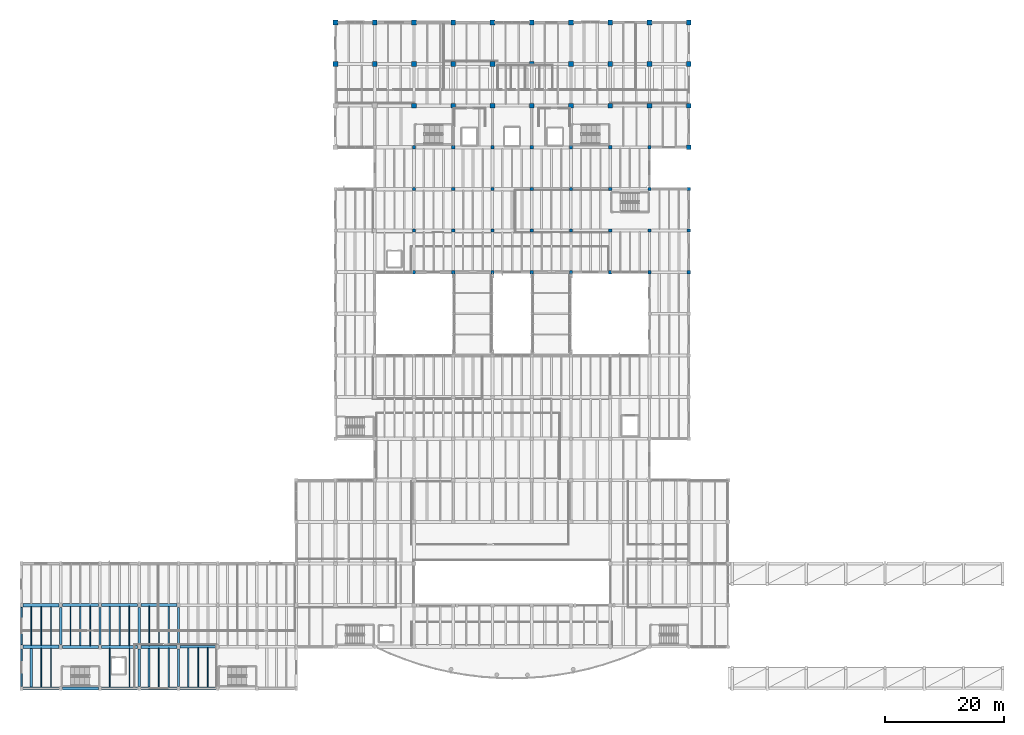
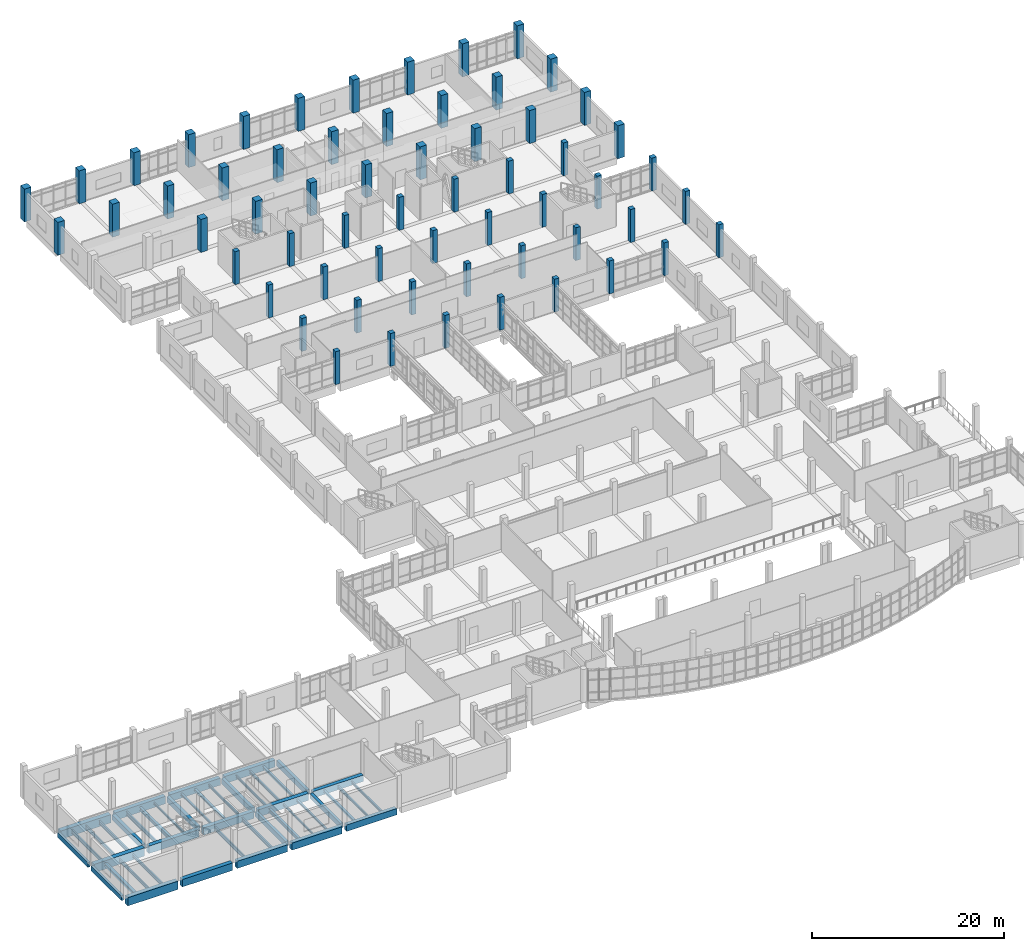
# One storey, part 2 of 67: 60 columns, 45 beams.
"""IFC4 building model written with IfcOpenShell, lengths in metres."""

import ifcopenshell
import ifcopenshell.guid

model = None  # the IFC model being written
_history = None  # IfcOwnerHistory: only IFC2X3 demands one
_inside = {}  # id of a spatial element -> (the spatial element, [elements in it])
_under = {}  # id of a project, library or spatial element -> (it, [spatial elements below it])
_declared = {}  # id of a project -> (the project, [libraries it declares])
_typed = {}  # id of a type object -> (the type object, [elements of that type])
_made_of = {}  # id of a material, layer set ... -> (it, [elements and type objects made of it])


def new_model(schema):
    """Start an empty IFC model of exactly this schema.

    Asked for "IFC4X3", IfcOpenShell would pick the latest addendum, in which some entities
    have other attributes; the version numbers below select the first issue.
    IFC2X3 requires an IfcOwnerHistory on every rooted entity: one is made here for all.
    """
    global model, _history
    if schema == "IFC4X3":
        model = ifcopenshell.file(schema_version=(4, 3, 0, 0))
    else:
        model = ifcopenshell.file(schema=schema)
    _inside.clear()
    _under.clear()
    _declared.clear()
    _typed.clear()
    _made_of.clear()
    _history = None
    if model.schema == "IFC2X3":
        org = make("IfcOrganization", Name="unknown")
        user = make(
            "IfcPersonAndOrganization",
            ThePerson=make("IfcPerson", FamilyName="unknown"),
            TheOrganization=org,
        )
        app = make(
            "IfcApplication",
            ApplicationDeveloper=org,
            Version="unknown",
            ApplicationFullName="unknown",
            ApplicationIdentifier="unknown",
        )
        _history = make(
            "IfcOwnerHistory",
            OwningUser=user,
            OwningApplication=app,
            ChangeAction="ADDED",
            CreationDate=0,
        )
    return model


def make(cls, **values):
    """One entity of the class cls with the attributes given. An attribute that is None is left unset."""
    return model.create_entity(
        cls, **{name: value for name, value in values.items() if value is not None}
    )


def rooted(cls, **values):
    """An entity with a GlobalId (a new one), such as an element, a storey or a relation."""
    return make(cls, GlobalId=ifcopenshell.guid.new(), OwnerHistory=_history, **values)


def si_unit(unit_type, name, prefix=None):
    """IfcSIUnit, for example si_unit("LENGTHUNIT", "METRE", prefix="MILLI")."""
    return make("IfcSIUnit", UnitType=unit_type, Prefix=prefix, Name=name)


def assignment(units):
    """IfcUnitAssignment: the units of a project."""
    return None if units is None else make("IfcUnitAssignment", Units=units)


def point(xyz):
    """IfcCartesianPoint."""
    return None if xyz is None else make("IfcCartesianPoint", Coordinates=xyz)


def direction(xyz):
    """IfcDirection."""
    return None if xyz is None else make("IfcDirection", DirectionRatios=xyz)


def frame(location, z_axis=None, x_axis=None):
    """IfcAxis2Placement3D, a coordinate frame: its origin and axes. An axis left out is left unset."""
    return make(
        "IfcAxis2Placement3D",
        Location=point(location),
        Axis=direction(z_axis),
        RefDirection=direction(x_axis),
    )


def frame_2d(location, x_axis=None):
    """IfcAxis2Placement2D, a coordinate frame in the plane: its origin and x axis."""
    return make(
        "IfcAxis2Placement2D", Location=point(location), RefDirection=direction(x_axis)
    )


def origin():
    """The frame at (0, 0, 0) with its axes left unset."""
    return frame((0.0, 0.0, 0.0))


def origin_2d():
    """The frame at (0, 0) in the plane with its x axis left unset."""
    return frame_2d((0.0, 0.0))


def place(relative_to, where):
    """IfcLocalPlacement: puts the frame where relative to a parent placement (None: the world)."""
    return make(
        "IfcLocalPlacement", PlacementRelTo=relative_to, RelativePlacement=where
    )


def context(
    kind, dimensions, precision=None, world=None, true_north=None, identifier=None
):
    """IfcGeometricRepresentationContext, for example the 3D "Model" context."""
    return make(
        "IfcGeometricRepresentationContext",
        ContextIdentifier=identifier,
        ContextType=kind,
        CoordinateSpaceDimension=dimensions,
        Precision=precision,
        WorldCoordinateSystem=world,
        TrueNorth=true_north,
    )


def subcontext(parent, identifier, kind, view, scale=None):
    """IfcGeometricRepresentationSubContext, for example "Body" below "Model"."""
    return make(
        "IfcGeometricRepresentationSubContext",
        ContextIdentifier=identifier,
        ContextType=kind,
        ParentContext=parent,
        TargetScale=scale,
        TargetView=view,
    )


def project(units=None, contexts=None):
    """IfcProject with its units and contexts."""
    return rooted(
        "IfcProject",
        Name="project",
        RepresentationContexts=contexts,
        UnitsInContext=assignment(units),
    )


def spatial(cls, under=None, at=None, **own):
    """A site, building, storey or space (cls), placed at a placement, below another one or the project."""
    s = rooted(cls, ObjectPlacement=at, **own)
    if under is not None:
        _under.setdefault(under.id(), (under, []))[1].append(s)
    return s


def profile(cls, at=None, kind="AREA", **sizes):
    """A parametric profile (cls). Its sizes go by their IFC names, for example OverallWidth=200.0."""
    return make(cls, ProfileType=kind, Position=at, **sizes)


def rectangle(**sizes):
    """IfcRectangleProfileDef."""
    return profile("IfcRectangleProfileDef", **sizes)


def i_section(**sizes):
    """IfcIShapeProfileDef."""
    return profile("IfcIShapeProfileDef", **sizes)


def extrude(swept, where, along, depth):
    """IfcExtrudedAreaSolid: the profile swept, set in the frame where, extruded along a direction by depth."""
    return make(
        "IfcExtrudedAreaSolid",
        SweptArea=swept,
        Position=where,
        ExtrudedDirection=direction(along),
        Depth=depth,
    )


def shape(context_of_items, identifier, shape_type, items):
    """IfcShapeRepresentation: the items that make up one representation, for example the "Body"."""
    return make(
        "IfcShapeRepresentation",
        ContextOfItems=context_of_items,
        RepresentationIdentifier=identifier,
        RepresentationType=shape_type,
        Items=items,
    )


def material(Name=None, Category=None):
    """IfcMaterial."""
    return make("IfcMaterial", Name=Name, Category=Category)


def material_profile(
    of_material, cross_section, Name=None, Category=None, Priority=None
):
    """IfcMaterialProfile: a cross section and its material."""
    return make(
        "IfcMaterialProfile",
        Name=Name,
        Material=of_material,
        Profile=cross_section,
        Priority=Priority,
        Category=Category,
    )


def profile_set(profiles, Name=None, composite=None):
    """IfcMaterialProfileSet."""
    return make(
        "IfcMaterialProfileSet",
        Name=Name,
        MaterialProfiles=profiles,
        CompositeProfile=composite,
    )


def made_of(thing, what):
    """Note that an element or type object is made of a material, layer set ...; save() writes the relation."""
    if what is not None:
        _made_of.setdefault(what.id(), (what, []))[1].append(thing)
    return thing


def type_object(cls, material=None, **own):
    """A type object (cls), such as IfcWallType, which elements share."""
    return made_of(rooted(cls, **own), material)


def element(
    cls,
    number,
    at=None,
    inside=None,
    cuts=None,
    type_object=None,
    material=None,
    context=None,
    identifier="Body",
    shape_type=None,
    held_by="IfcProductDefinitionShape",
    body=None,
    shapes=None,
    **own,
):
    """One element of the class cls, such as IfcWall. Its Tag is "e" and its number.

    at: its placement. inside: the storey or other place that contains it. cuts: it is an
    opening in that element (IfcRelVoidsElement). A single representation is given by context,
    identifier, shape_type and body (its items); several are given by shapes. held_by: the class
    of the entity that holds the representations. save() writes the other relations.
    """
    e = rooted(cls, Tag="e%d" % number, ObjectPlacement=at, **own)
    if body is not None:
        shapes = [shape(context, identifier, shape_type, body)]
    if shapes is not None:
        e.Representation = make(held_by, Representations=shapes)
    if inside is not None:
        _inside.setdefault(inside.id(), (inside, []))[1].append(e)
    if cuts is not None:
        rooted(
            "IfcRelVoidsElement", RelatingBuildingElement=cuts, RelatedOpeningElement=e
        )
    if type_object is not None:
        _typed.setdefault(type_object.id(), (type_object, []))[1].append(e)
    return made_of(e, material)


def aggregate(whole, parts):
    """IfcRelAggregates: a whole, such as a stair, and the parts it consists of."""
    return rooted("IfcRelAggregates", RelatingObject=whole, RelatedObjects=parts)


def save(model, path):
    """Write the relations noted so far, then the file.

    IfcRelAggregates (storeys below a building ...), IfcRelContainedInSpatialStructure (elements
    in a storey), IfcRelDefinesByType, IfcRelAssociatesMaterial and IfcRelDeclares: one each for
    every whole, place, type object, material and project.
    """
    for whole, parts in _under.values():
        aggregate(whole, parts)
    for where, things in _inside.values():
        rooted(
            "IfcRelContainedInSpatialStructure",
            RelatedElements=things,
            RelatingStructure=where,
        )
    for kind, things in _typed.values():
        rooted("IfcRelDefinesByType", RelatedObjects=things, RelatingType=kind)
    for what, things in _made_of.values():
        rooted("IfcRelAssociatesMaterial", RelatedObjects=things, RelatingMaterial=what)
    for by, libraries in _declared.values():
        rooted("IfcRelDeclares", RelatingContext=by, RelatedDefinitions=libraries)
    model.write(path)


model = new_model("IFC4")

# Units and contexts
model_context = context("Model", 3, precision=1e-05, world=origin(), true_north=direction((0.0, 1.0)))
body_context = subcontext(model_context, "Body", "Model", "MODEL_VIEW")
ifc_project = project(units=[si_unit("LENGTHUNIT", "METRE"), si_unit("AREAUNIT", "SQUARE_METRE"), si_unit("VOLUMEUNIT", "CUBIC_METRE"), si_unit("PLANEANGLEUNIT", "RADIAN"), si_unit("MASSUNIT", "GRAM", prefix="KILO")], contexts=[model_context])

# Site, building, storey
site_placement = place(None, origin())
site = spatial("IfcSite", under=ifc_project, at=site_placement, CompositionType="ELEMENT")
building_placement = place(site_placement, origin())
building = spatial("IfcBuilding", under=site, at=building_placement, Name="Ciguamira Faculty of Natural Sciences", CompositionType="ELEMENT")
storey_placement = place(building_placement, frame((0.0, 0.0, 8.39990234375)))
storey = spatial("IfcBuildingStorey", under=building, at=storey_placement, Name="L02", CompositionType="ELEMENT", Elevation=8.39990234375)

# Columns
ifc_material_1 = material(Name="Concrete C45/55", Category="concrete")
ifc_material_profile_1 = material_profile(ifc_material_1, rectangle(XDim=0.800048828125, YDim=0.800048828125, at=origin_2d()), Name="RC-COL-800X800")
ifc_profile_set_1 = profile_set([ifc_material_profile_1], Name="Concrete C45/55")
column_type_1 = type_object("IfcColumnType", Name="Col_C-03_RC-COL-800X800", PredefinedType="COLUMN", material=ifc_profile_set_1)
for number, where, z_axis, x_axis, name in (
    (1, (57.300048828125, 108.0, 0.0), (0.0, 0.0, 1.0), (1.0, 0.0, 0.0), "L02 column 9/R"),
    (2, (57.300048828125, 115.0, 0.0), (0.0, 0.0, 1.0), (1.0, 0.0, 0.0), "L02 column 9/S"),
    (3, (63.89990234375, 108.0, 0.0), (0.0, 0.0, 1.0), (1.0, 0.0, 0.0), "L02 column 10/R"),
    (4, (63.89990234375, 115.0, 0.0), (0.0, 0.0, 1.0), (1.0, 0.0, 0.0), "L02 column 10/S"),
    (5, (70.5, 101.0, 0.0), (0.0, 0.0, 1.0), (1.0, 0.0, 0.0), "L02 column 11/Q"),
    (6, (70.5, 108.0, 0.0), (0.0, 0.0, 1.0), (1.0, 0.0, 0.0), "L02 column 11/R"),
    (7, (70.5, 115.0, 0.0), (0.0, 0.0, 1.0), (1.0, 0.0, 0.0), "L02 column 11/S"),
    (8, (77.10009765625, 101.0, 0.0), (0.0, 0.0, 1.0), (1.0, 0.0, 0.0), "L02 column 12/Q"),
    (9, (77.10009765625, 108.0, 0.0), (0.0, 0.0, 1.0), (1.0, 0.0, 0.0), "L02 column 12/R"),
    (10, (77.10009765625, 115.0, 0.0), (0.0, 0.0, 1.0), (1.0, 0.0, 0.0), "L02 column 12/S"),
    (11, (83.699951171875, 101.0, 0.0), (0.0, 0.0, 1.0), (1.0, 0.0, 0.0), "L02 column 13/Q"),
    (12, (83.699951171875, 108.0, 0.0), (0.0, 0.0, 1.0), (1.0, 0.0, 0.0), "L02 column 13/R"),
    (13, (83.699951171875, 115.0, 0.0), (0.0, 0.0, 1.0), (1.0, 0.0, 0.0), "L02 column 13/S"),
    (14, (90.300048828125, 101.0, 0.0), (0.0, 0.0, 1.0), (1.0, 0.0, 0.0), "L02 column 14/Q"),
    (15, (90.300048828125, 108.0, 0.0), (0.0, 0.0, 1.0), (1.0, 0.0, 0.0), "L02 column 14/R"),
    (16, (90.300048828125, 115.0, 0.0), (0.0, 0.0, 1.0), (1.0, 0.0, 0.0), "L02 column 14/S"),
    (17, (96.89990234375, 101.0, 0.0), (0.0, 0.0, 1.0), (1.0, 0.0, 0.0), "L02 column 15/Q"),
    (18, (96.89990234375, 108.0, 0.0), (0.0, 0.0, 1.0), (1.0, 0.0, 0.0), "L02 column 15/R"),
    (19, (96.89990234375, 115.0, 0.0), (0.0, 0.0, 1.0), (1.0, 0.0, 0.0), "L02 column 15/S"),
    (20, (103.5, 101.0, 0.0), (0.0, 0.0, 1.0), (1.0, 0.0, 0.0), "L02 column 16/Q"),
    (21, (103.5, 108.0, 0.0), (0.0, 0.0, 1.0), (1.0, 0.0, 0.0), "L02 column 16/R"),
    (22, (103.5, 115.0, 0.0), (0.0, 0.0, 1.0), (1.0, 0.0, 0.0), "L02 column 16/S"),
    (23, (110.10009765625, 101.0, 0.0), (0.0, 0.0, 1.0), (1.0, 0.0, 0.0), "L02 column 17/Q"),
    (24, (110.10009765625, 108.0, 0.0), (0.0, 0.0, 1.0), (1.0, 0.0, 0.0), "L02 column 17/R"),
    (25, (110.10009765625, 115.0, 0.0), (0.0, 0.0, 1.0), (1.0, 0.0, 0.0), "L02 column 17/S"),
    (26, (116.699951171875, 94.0, 0.0), (0.0, 0.0, 1.0), (1.0, 0.0, 0.0), "L02 column 18/P"),
    (27, (116.699951171875, 101.0, 0.0), (0.0, 0.0, 1.0), (1.0, 0.0, 0.0), "L02 column 18/Q"),
    (28, (116.699951171875, 108.0, 0.0), (0.0, 0.0, 1.0), (1.0, 0.0, 0.0), "L02 column 18/R"),
    (29, (116.699951171875, 115.0, 0.0), (0.0, 0.0, 1.0), (1.0, 0.0, 0.0), "L02 column 18/S"),
):
    element("IfcColumn", number, at=place(storey_placement, frame(where, z_axis=z_axis, x_axis=x_axis)), inside=storey, type_object=column_type_1, Name=name, PredefinedType="COLUMN", context=body_context, shape_type="SweptSolid", body=[
        extrude(rectangle(XDim=0.800048828125, YDim=0.800048828125, at=origin_2d()), origin(), (0.0, 0.0, 1.0), 4.2001953125),
    ])
ifc_material_2 = material(Name="Concrete C40/50", Category="concrete")
ifc_material_profile_2 = material_profile(ifc_material_2, rectangle(XDim=0.550048828125, YDim=0.550048828125, at=origin_2d()), Name="RC-COL-550X550")
ifc_profile_set_2 = profile_set([ifc_material_profile_2], Name="Concrete C40/50")
column_type_2 = type_object("IfcColumnType", Name="Col_C-08_RC-COL-550X550", PredefinedType="COLUMN", material=ifc_profile_set_2)
for number, where, z_axis, x_axis, name in (
    (30, (70.5, 73.0, 0.0), (0.0, 0.0, 1.0), (1.0, 0.0, 0.0), "L02 column 11/L"),
    (31, (70.5, 80.0, 0.0), (0.0, 0.0, 1.0), (1.0, 0.0, 0.0), "L02 column 11/M"),
    (32, (70.5, 87.0, 0.0), (0.0, 0.0, 1.0), (1.0, 0.0, 0.0), "L02 column 11/N"),
    (33, (70.5, 94.0, 0.0), (0.0, 0.0, 1.0), (1.0, 0.0, 0.0), "L02 column 11/P"),
    (34, (77.10009765625, 73.0, 0.0), (0.0, 0.0, 1.0), (1.0, 0.0, 0.0), "L02 column 12/L"),
    (35, (77.10009765625, 80.0, 0.0), (0.0, 0.0, 1.0), (1.0, 0.0, 0.0), "L02 column 12/M"),
    (36, (77.10009765625, 87.0, 0.0), (0.0, 0.0, 1.0), (1.0, 0.0, 0.0), "L02 column 12/N"),
    (37, (77.10009765625, 94.0, 0.0), (0.0, 0.0, 1.0), (1.0, 0.0, 0.0), "L02 column 12/P"),
    (38, (83.699951171875, 73.0, 0.0), (0.0, 0.0, 1.0), (1.0, 0.0, 0.0), "L02 column 13/L"),
    (39, (83.699951171875, 80.0, 0.0), (0.0, 0.0, 1.0), (1.0, 0.0, 0.0), "L02 column 13/M"),
    (40, (83.699951171875, 87.0, 0.0), (0.0, 0.0, 1.0), (1.0, 0.0, 0.0), "L02 column 13/N"),
    (41, (83.699951171875, 94.0, 0.0), (0.0, 0.0, 1.0), (1.0, 0.0, 0.0), "L02 column 13/P"),
    (42, (90.300048828125, 73.0, 0.0), (0.0, 0.0, 1.0), (1.0, 0.0, 0.0), "L02 column 14/L"),
    (43, (90.300048828125, 80.0, 0.0), (0.0, 0.0, 1.0), (1.0, 0.0, 0.0), "L02 column 14/M"),
    (44, (90.300048828125, 87.0, 0.0), (0.0, 0.0, 1.0), (1.0, 0.0, 0.0), "L02 column 14/N"),
    (45, (90.300048828125, 94.0, 0.0), (0.0, 0.0, 1.0), (1.0, 0.0, 0.0), "L02 column 14/P"),
    (46, (96.89990234375, 73.0, 0.0), (0.0, 0.0, 1.0), (1.0, 0.0, 0.0), "L02 column 15/L"),
    (47, (96.89990234375, 80.0, 0.0), (0.0, 0.0, 1.0), (1.0, 0.0, 0.0), "L02 column 15/M"),
    (48, (96.89990234375, 87.0, 0.0), (0.0, 0.0, 1.0), (1.0, 0.0, 0.0), "L02 column 15/N"),
    (49, (96.89990234375, 94.0, 0.0), (0.0, 0.0, 1.0), (1.0, 0.0, 0.0), "L02 column 15/P"),
    (50, (103.5, 73.0, 0.0), (0.0, 0.0, 1.0), (1.0, 0.0, 0.0), "L02 column 16/L"),
    (51, (103.5, 80.0, 0.0), (0.0, 0.0, 1.0), (1.0, 0.0, 0.0), "L02 column 16/M"),
    (52, (103.5, 87.0, 0.0), (0.0, 0.0, 1.0), (1.0, 0.0, 0.0), "L02 column 16/N"),
    (53, (103.5, 94.0, 0.0), (0.0, 0.0, 1.0), (1.0, 0.0, 0.0), "L02 column 16/P"),
    (54, (110.10009765625, 73.0, 0.0), (0.0, 0.0, 1.0), (1.0, 0.0, 0.0), "L02 column 17/L"),
    (55, (110.10009765625, 80.0, 0.0), (0.0, 0.0, 1.0), (1.0, 0.0, 0.0), "L02 column 17/M"),
    (56, (110.10009765625, 87.0, 0.0), (0.0, 0.0, 1.0), (1.0, 0.0, 0.0), "L02 column 17/N"),
    (57, (110.10009765625, 94.0, 0.0), (0.0, 0.0, 1.0), (1.0, 0.0, 0.0), "L02 column 17/P"),
    (58, (116.699951171875, 73.0, 0.0), (0.0, 0.0, 1.0), (1.0, 0.0, 0.0), "L02 column 18/L"),
    (59, (116.699951171875, 80.0, 0.0), (0.0, 0.0, 1.0), (1.0, 0.0, 0.0), "L02 column 18/M"),
    (60, (116.699951171875, 87.0, 0.0), (0.0, 0.0, 1.0), (1.0, 0.0, 0.0), "L02 column 18/N"),
):
    element("IfcColumn", number, at=place(storey_placement, frame(where, z_axis=z_axis, x_axis=x_axis)), inside=storey, type_object=column_type_2, Name=name, PredefinedType="COLUMN", context=body_context, shape_type="SweptSolid", body=[
        extrude(rectangle(XDim=0.550048828125, YDim=0.550048828125, at=origin_2d()), origin(), (0.0, 0.0, 1.0), 4.2001953125),
    ])

# Beams
ifc_material_profile_3 = material_profile(ifc_material_2, rectangle(XDim=0.550048828125, YDim=1.050048828125, at=origin_2d()), Name="RC-BM-550X1050")
ifc_profile_set_3 = profile_set([ifc_material_profile_3], Name="Concrete C40/50")
beam_type_1 = type_object("IfcBeamType", Name="RCBeam_BG-01_RC-BM-550X1050", PredefinedType="BEAM", material=ifc_profile_set_3)
for number, where, z_axis, x_axis, name in (
    (61, (4.77490234375, 3.0, -0.52490234375), (1.0, 0.0, 0.0), (0.0, 1.0, 0.0), "L02 RC girder EW-0705"),
    (62, (4.77490234375, 10.0, -0.52490234375), (1.0, 0.0, 0.0), (0.0, 1.0, 0.0), "L02 RC girder EW-0712"),
    (63, (4.77490234375, 17.0, -0.52490234375), (1.0, 0.0, 0.0), (0.0, 1.0, 0.0), "L02 RC girder EW-0730"),
):
    element("IfcBeam", number, at=place(storey_placement, frame(where, z_axis=z_axis, x_axis=x_axis)), inside=storey, type_object=beam_type_1, Name=name, PredefinedType="BEAM", context=body_context, shape_type="SweptSolid", body=[
        extrude(rectangle(XDim=0.550048828125, YDim=1.050048828125, at=origin_2d()), origin(), (0.0, 0.0, 1.0), 6.050048828125),
    ])
ifc_material_profile_4 = material_profile(ifc_material_2, rectangle(XDim=0.5, YDim=0.949951171875, at=origin_2d()), Name="RC-BM-500X950")
ifc_profile_set_4 = profile_set([ifc_material_profile_4], Name="Concrete C40/50")
beam_type_2 = type_object("IfcBeamType", Name="RCBeam_BG-02_RC-BM-500X950", PredefinedType="BEAM", material=ifc_profile_set_4)
for number, where, z_axis, x_axis, name in (
    (64, (11.375, 3.0, -0.474853515625), (1.0, 0.0, 0.0), (0.0, 1.0, 0.0), "L02 RC girder EW-0706"),
    (65, (11.375, 10.0, -0.474853515625), (1.0, 0.0, 0.0), (0.0, 1.0, 0.0), "L02 RC girder EW-0713"),
    (66, (11.375, 17.0, -0.474853515625), (1.0, 0.0, 0.0), (0.0, 1.0, 0.0), "L02 RC girder EW-0731"),
):
    element("IfcBeam", number, at=place(storey_placement, frame(where, z_axis=z_axis, x_axis=x_axis)), inside=storey, type_object=beam_type_2, Name=name, PredefinedType="BEAM", context=body_context, shape_type="SweptSolid", body=[
        extrude(rectangle(XDim=0.5, YDim=0.949951171875, at=origin_2d()), origin(), (0.0, 0.0, 1.0), 6.050048828125),
    ])
ifc_material_profile_5 = material_profile(ifc_material_2, rectangle(XDim=0.5, YDim=0.89990234375, at=origin_2d()), Name="RC-BM-500X900")
ifc_profile_set_5 = profile_set([ifc_material_profile_5], Name="Concrete C40/50")
beam_type_3 = type_object("IfcBeamType", Name="RCBeam_BG-03_RC-BM-500X900", PredefinedType="BEAM", material=ifc_profile_set_5)
beam_1_placement = place(storey_placement, frame((17.97509765625, 3.0, -0.449951171875), z_axis=(1.0, 0.0, 0.0), x_axis=(0.0, 1.0, 0.0)))
element("IfcBeam", 67, at=beam_1_placement, inside=storey, type_object=beam_type_3, Name="L02 RC girder EW-0707", PredefinedType="BEAM", context=body_context, shape_type="SweptSolid", body=[
    extrude(rectangle(XDim=0.5, YDim=0.89990234375, at=origin_2d()), origin(), (0.0, 0.0, 1.0), 6.0498046875),
])
beam_2_placement = place(storey_placement, frame((24.574951171875, 3.0, -0.449951171875), z_axis=(1.0, 0.0, 0.0), x_axis=(0.0, 1.0, 0.0)))
element("IfcBeam", 68, at=beam_2_placement, inside=storey, type_object=beam_type_3, Name="L02 RC girder EW-0708", PredefinedType="BEAM", context=body_context, shape_type="SweptSolid", body=[
    extrude(rectangle(XDim=0.5, YDim=0.89990234375, at=origin_2d()), origin(), (0.0, 0.0, 1.0), 6.050048828125),
])
beam_3_placement = place(storey_placement, frame((17.97509765625, 10.0, -0.449951171875), z_axis=(1.0, 0.0, 0.0), x_axis=(0.0, 1.0, 0.0)))
element("IfcBeam", 69, at=beam_3_placement, inside=storey, type_object=beam_type_3, Name="L02 RC girder EW-0714", PredefinedType="BEAM", context=body_context, shape_type="SweptSolid", body=[
    extrude(rectangle(XDim=0.5, YDim=0.89990234375, at=origin_2d()), origin(), (0.0, 0.0, 1.0), 6.0498046875),
])
beam_4_placement = place(storey_placement, frame((24.574951171875, 10.0, -0.449951171875), z_axis=(1.0, 0.0, 0.0), x_axis=(0.0, 1.0, 0.0)))
element("IfcBeam", 70, at=beam_4_placement, inside=storey, type_object=beam_type_3, Name="L02 RC girder EW-0715", PredefinedType="BEAM", context=body_context, shape_type="SweptSolid", body=[
    extrude(rectangle(XDim=0.5, YDim=0.89990234375, at=origin_2d()), origin(), (0.0, 0.0, 1.0), 6.050048828125),
])
beam_5_placement = place(storey_placement, frame((17.97509765625, 17.0, -0.449951171875), z_axis=(1.0, 0.0, 0.0), x_axis=(0.0, 1.0, 0.0)))
element("IfcBeam", 71, at=beam_5_placement, inside=storey, type_object=beam_type_3, Name="L02 RC girder EW-0732", PredefinedType="BEAM", context=body_context, shape_type="SweptSolid", body=[
    extrude(rectangle(XDim=0.5, YDim=0.89990234375, at=origin_2d()), origin(), (0.0, 0.0, 1.0), 6.0498046875),
])
beam_6_placement = place(storey_placement, frame((24.574951171875, 17.0, -0.449951171875), z_axis=(1.0, 0.0, 0.0), x_axis=(0.0, 1.0, 0.0)))
element("IfcBeam", 72, at=beam_6_placement, inside=storey, type_object=beam_type_3, Name="L02 RC girder EW-0733", PredefinedType="BEAM", context=body_context, shape_type="SweptSolid", body=[
    extrude(rectangle(XDim=0.5, YDim=0.89990234375, at=origin_2d()), origin(), (0.0, 0.0, 1.0), 6.050048828125),
])
ifc_material_profile_6 = material_profile(ifc_material_2, rectangle(XDim=0.4599609375, YDim=0.820068359375, at=origin_2d()), Name="RC-BM-460X820")
ifc_profile_set_6 = profile_set([ifc_material_profile_6], Name="Concrete C40/50")
beam_type_4 = type_object("IfcBeamType", Name="RCBeam_BG-04_RC-BM-460X820", PredefinedType="BEAM", material=ifc_profile_set_6)
for number, where, z_axis, x_axis, name in (
    (73, (31.175048828125, 3.0, -0.409912109375), (1.0, 0.0, 0.0), (0.0, 1.0, 0.0), "L02 RC girder EW-0709"),
    (74, (31.175048828125, 10.0, -0.409912109375), (1.0, 0.0, 0.0), (0.0, 1.0, 0.0), "L02 RC girder EW-0716"),
):
    element("IfcBeam", number, at=place(storey_placement, frame(where, z_axis=z_axis, x_axis=x_axis)), inside=storey, type_object=beam_type_4, Name=name, PredefinedType="BEAM", context=body_context, shape_type="SweptSolid", body=[
        extrude(rectangle(XDim=0.4599609375, YDim=0.820068359375, at=origin_2d()), origin(), (0.0, 0.0, 1.0), 6.050048828125),
    ])
ifc_material_profile_7 = material_profile(ifc_material_2, rectangle(XDim=0.3798828125, YDim=0.679931640625, at=origin_2d()), Name="RC-BM-380X680")
ifc_profile_set_7 = profile_set([ifc_material_profile_7], Name="Concrete C40/50")
beam_type_5 = type_object("IfcBeamType", Name="RCBeam_BG-09_RC-BM-380X680", PredefinedType="BEAM", material=ifc_profile_set_7)
for number, where, z_axis, x_axis, name in (
    (75, (11.10009765625, 10.35009765625, -0.33984375), (0.0, 1.0, 0.0), (-1.0, 0.0, 0.0), "L02 girder NS-0878"),
    (76, (17.699951171875, 10.35009765625, -0.33984375), (0.0, 1.0, 0.0), (-1.0, 0.0, 0.0), "L02 girder NS-0880"),
    (77, (24.300048828125, 10.35009765625, -0.33984375), (0.0, 1.0, 0.0), (-1.0, 0.0, 0.0), "L02 girder NS-0883"),
    (78, (30.89990234375, 10.35009765625, -0.33984375), (0.0, 1.0, 0.0), (-1.0, 0.0, 0.0), "L02 girder NS-0886"),
):
    element("IfcBeam", number, at=place(storey_placement, frame(where, z_axis=z_axis, x_axis=x_axis)), inside=storey, type_object=beam_type_5, Name=name, PredefinedType="BEAM", context=body_context, shape_type="SweptSolid", body=[
        extrude(rectangle(XDim=0.3798828125, YDim=0.679931640625, at=origin_2d()), origin(), (0.0, 0.0, 1.0), 6.2998046875),
    ])
ifc_material_profile_8 = material_profile(ifc_material_2, rectangle(XDim=0.35009765625, YDim=0.60009765625, at=origin_2d()), Name="RC-BM-350X600")
ifc_profile_set_8 = profile_set([ifc_material_profile_8], Name="Concrete C40/50")
beam_type_6 = type_object("IfcBeamType", Name="RCBeam_BG-11_RC-BM-350X600", PredefinedType="BEAM", material=ifc_profile_set_8)
for number, where, z_axis, x_axis, name in (
    (79, (24.300048828125, 3.35009765625, -0.2998046875), (0.0, 1.0, 0.0), (-1.0, 0.0, 0.0), "L02 girder NS-0882"),
    (80, (30.89990234375, 3.35009765625, -0.2998046875), (0.0, 1.0, 0.0), (-1.0, 0.0, 0.0), "L02 girder NS-0885"),
):
    element("IfcBeam", number, at=place(storey_placement, frame(where, z_axis=z_axis, x_axis=x_axis)), inside=storey, type_object=beam_type_6, Name=name, PredefinedType="BEAM", context=body_context, shape_type="SweptSolid", body=[
        extrude(rectangle(XDim=0.35009765625, YDim=0.60009765625, at=origin_2d()), origin(), (0.0, 0.0, 1.0), 6.2998046875),
    ])
ifc_material_3 = material(Name="Precast concrete C40/50", Category="concrete")
ifc_material_profile_9 = material_profile(ifc_material_3, rectangle(XDim=0.280029296875, YDim=0.6201171875, at=origin_2d()), Name="RC-SP-280X620")
ifc_profile_set_9 = profile_set([ifc_material_profile_9], Name="Precast concrete C40/50")
beam_type_7 = type_object("IfcBeamType", Name="RCBeam_SP-01_RC-SP-280X620", PredefinedType="SPANDREL", material=ifc_profile_set_9)
for number, where, z_axis, x_axis, name in (
    (81, (4.5, 3.35009765625, -0.309814453125), (0.0, 1.0, 0.0), (-1.0, 0.0, 0.0), "L02 girder NS-0875"),
    (82, (4.5, 10.35009765625, -0.309814453125), (0.0, 1.0, 0.0), (-1.0, 0.0, 0.0), "L02 girder NS-0876"),
):
    element("IfcBeam", number, at=place(storey_placement, frame(where, z_axis=z_axis, x_axis=x_axis)), inside=storey, type_object=beam_type_7, Name=name, PredefinedType="SPANDREL", context=body_context, shape_type="SweptSolid", body=[
        extrude(rectangle(XDim=0.280029296875, YDim=0.6201171875, at=origin_2d()), origin(), (0.0, 0.0, 1.0), 6.2998046875),
    ])
ifc_material_4 = material(Name="Steel ASTM A992 Grade 50", Category="steel")
ifc_material_profile_10 = material_profile(ifc_material_4, i_section(OverallWidth=0.14599609375, OverallDepth=0.259033203125, WebThickness=0.006103515625, FlangeThickness=0.009033203125, at=origin_2d()), Name="W10X22")
ifc_profile_set_10 = profile_set([ifc_material_profile_10], Name="Steel ASTM A992 Grade 50")
beam_type_8 = type_object("IfcBeamType", Name="SteelJoist_SJ-01_W10X22", PredefinedType="JOIST", material=ifc_profile_set_10)
for number, where, z_axis, x_axis, name in (
    (83, (16.050048828125, 10.2099609375, -0.389404296875), (0.0, 1.0, 0.0), (-1.0, 0.0, 0.0), "L02 composite steel joist 00656"),
    (84, (27.60009765625, 3.2099609375, -0.389404296875), (0.0, 1.0, 0.0), (-1.0, 0.0, 0.0), "L02 composite steel joist 00669"),
):
    element("IfcBeam", number, at=place(storey_placement, frame(where, z_axis=z_axis, x_axis=x_axis)), inside=storey, type_object=beam_type_8, Name=name, PredefinedType="JOIST", context=body_context, shape_type="SweptSolid", body=[
        extrude(i_section(OverallWidth=0.14599609375, OverallDepth=0.259033203125, WebThickness=0.006103515625, FlangeThickness=0.009033203125, at=origin_2d()), origin(), (0.0, 0.0, 1.0), 6.580078125),
    ])
ifc_material_profile_11 = material_profile(ifc_material_4, i_section(OverallWidth=0.2021484375, OverallDepth=0.2470703125, WebThickness=0.00732421875, FlangeThickness=0.010986328125, at=origin_2d()), Name="W10X33")
ifc_profile_set_11 = profile_set([ifc_material_profile_11], Name="Steel ASTM A992 Grade 50")
beam_type_9 = type_object("IfcBeamType", Name="SteelJoist_SJ-02_W10X33", PredefinedType="JOIST", material=ifc_profile_set_11)
for number, where, z_axis, x_axis, name in (
    (85, (19.35009765625, 10.2099609375, -0.383544921875), (0.0, 1.0, 0.0), (-1.0, 0.0, 0.0), "L02 composite steel joist 00662"),
    (86, (29.25, 3.2099609375, -0.383544921875), (0.0, 1.0, 0.0), (-1.0, 0.0, 0.0), "L02 composite steel joist 00670"),
):
    element("IfcBeam", number, at=place(storey_placement, frame(where, z_axis=z_axis, x_axis=x_axis)), inside=storey, type_object=beam_type_9, Name=name, PredefinedType="JOIST", context=body_context, shape_type="SweptSolid", body=[
        extrude(i_section(OverallWidth=0.2021484375, OverallDepth=0.2470703125, WebThickness=0.00732421875, FlangeThickness=0.010986328125, at=origin_2d()), origin(), (0.0, 0.0, 1.0), 6.580078125),
    ])
ifc_material_profile_12 = material_profile(ifc_material_4, i_section(OverallWidth=0.25390625, OverallDepth=0.25390625, WebThickness=0.008544921875, FlangeThickness=0.01416015625, at=origin_2d()), Name="W10X49")
ifc_profile_set_12 = profile_set([ifc_material_profile_12], Name="Steel ASTM A992 Grade 50")
beam_type_10 = type_object("IfcBeamType", Name="SteelJoist_SJ-03_W10X49", PredefinedType="JOIST", material=ifc_profile_set_12)
beam_7_placement = place(storey_placement, frame((21.0, 10.2099609375, -0.386962890625), z_axis=(0.0, 1.0, 0.0), x_axis=(-1.0, 0.0, 0.0)))
element("IfcBeam", 87, at=beam_7_placement, inside=storey, type_object=beam_type_10, Name="L02 composite steel joist 00663", PredefinedType="JOIST", context=body_context, shape_type="SweptSolid", body=[
    extrude(i_section(OverallWidth=0.25390625, OverallDepth=0.25390625, WebThickness=0.008544921875, FlangeThickness=0.01416015625, at=origin_2d()), origin(), (0.0, 0.0, 1.0), 6.580078125),
])
beam_8_placement = place(storey_placement, frame((32.550048828125, 3.18994140625, -0.386962890625), z_axis=(0.0, 1.0, 0.0), x_axis=(-1.0, 0.0, 0.0)))
element("IfcBeam", 88, at=beam_8_placement, inside=storey, type_object=beam_type_10, Name="L02 composite steel joist 00677", PredefinedType="JOIST", context=body_context, shape_type="SweptSolid", body=[
    extrude(i_section(OverallWidth=0.25390625, OverallDepth=0.25390625, WebThickness=0.008544921875, FlangeThickness=0.01416015625, at=origin_2d()), origin(), (0.0, 0.0, 1.0), 6.6201171875),
])
ifc_material_profile_13 = material_profile(ifc_material_4, i_section(OverallWidth=0.164794921875, OverallDepth=0.309814453125, WebThickness=0.005859375, FlangeThickness=0.009765625, at=origin_2d()), Name="W12X26")
ifc_profile_set_13 = profile_set([ifc_material_profile_13], Name="Steel ASTM A992 Grade 50")
beam_type_11 = type_object("IfcBeamType", Name="SteelJoist_SJ-04_W12X26", PredefinedType="JOIST", material=ifc_profile_set_13)
beam_9_placement = place(storey_placement, frame((22.64990234375, 10.2099609375, -0.414794921875), z_axis=(0.0, 1.0, 0.0), x_axis=(-1.0, 0.0, 0.0)))
element("IfcBeam", 89, at=beam_9_placement, inside=storey, type_object=beam_type_11, Name="L02 composite steel joist 00664", PredefinedType="JOIST", context=body_context, shape_type="SweptSolid", body=[
    extrude(i_section(OverallWidth=0.164794921875, OverallDepth=0.309814453125, WebThickness=0.005859375, FlangeThickness=0.009765625, at=origin_2d()), origin(), (0.0, 0.0, 1.0), 6.580078125),
])
beam_10_placement = place(storey_placement, frame((34.199951171875, 3.18994140625, -0.414794921875), z_axis=(0.0, 1.0, 0.0), x_axis=(-1.0, 0.0, 0.0)))
element("IfcBeam", 90, at=beam_10_placement, inside=storey, type_object=beam_type_11, Name="L02 composite steel joist 00678", PredefinedType="JOIST", context=body_context, shape_type="SweptSolid", body=[
    extrude(i_section(OverallWidth=0.164794921875, OverallDepth=0.309814453125, WebThickness=0.005859375, FlangeThickness=0.009765625, at=origin_2d()), origin(), (0.0, 0.0, 1.0), 6.6201171875),
])
ifc_material_profile_14 = material_profile(ifc_material_4, i_section(OverallWidth=0.16650390625, OverallDepth=0.3173828125, WebThickness=0.007568359375, FlangeThickness=0.01318359375, at=origin_2d()), Name="W12X35")
ifc_profile_set_14 = profile_set([ifc_material_profile_14], Name="Steel ASTM A992 Grade 50")
beam_type_12 = type_object("IfcBeamType", Name="SteelJoist_SJ-05_W12X35", PredefinedType="JOIST", material=ifc_profile_set_14)
beam_11_placement = place(storey_placement, frame((25.949951171875, 10.2099609375, -0.418701171875), z_axis=(0.0, 1.0, 0.0), x_axis=(-1.0, 0.0, 0.0)))
element("IfcBeam", 91, at=beam_11_placement, inside=storey, type_object=beam_type_12, Name="L02 composite steel joist 00671", PredefinedType="JOIST", context=body_context, shape_type="SweptSolid", body=[
    extrude(i_section(OverallWidth=0.16650390625, OverallDepth=0.3173828125, WebThickness=0.007568359375, FlangeThickness=0.01318359375, at=origin_2d()), origin(), (0.0, 0.0, 1.0), 6.580078125),
])
beam_12_placement = place(storey_placement, frame((35.85009765625, 3.18994140625, -0.418701171875), z_axis=(0.0, 1.0, 0.0), x_axis=(-1.0, 0.0, 0.0)))
element("IfcBeam", 92, at=beam_12_placement, inside=storey, type_object=beam_type_12, Name="L02 composite steel joist 00679", PredefinedType="JOIST", context=body_context, shape_type="SweptSolid", body=[
    extrude(i_section(OverallWidth=0.16650390625, OverallDepth=0.3173828125, WebThickness=0.007568359375, FlangeThickness=0.01318359375, at=origin_2d()), origin(), (0.0, 0.0, 1.0), 6.6201171875),
])
ifc_material_profile_15 = material_profile(ifc_material_4, i_section(OverallWidth=0.20458984375, OverallDepth=0.307373046875, WebThickness=0.008544921875, FlangeThickness=0.0146484375, at=origin_2d()), Name="W12X45")
ifc_profile_set_15 = profile_set([ifc_material_profile_15], Name="Steel ASTM A992 Grade 50")
beam_type_13 = type_object("IfcBeamType", Name="SteelJoist_SJ-06_W12X45", PredefinedType="JOIST", material=ifc_profile_set_15)
beam_13_placement = place(storey_placement, frame((27.60009765625, 10.2099609375, -0.41357421875), z_axis=(0.0, 1.0, 0.0), x_axis=(-1.0, 0.0, 0.0)))
element("IfcBeam", 93, at=beam_13_placement, inside=storey, type_object=beam_type_13, Name="L02 composite steel joist 00672", PredefinedType="JOIST", context=body_context, shape_type="SweptSolid", body=[
    extrude(i_section(OverallWidth=0.20458984375, OverallDepth=0.307373046875, WebThickness=0.008544921875, FlangeThickness=0.0146484375, at=origin_2d()), origin(), (0.0, 0.0, 1.0), 6.580078125),
])
ifc_material_profile_16 = material_profile(ifc_material_4, i_section(OverallWidth=0.25390625, OverallDepth=0.307373046875, WebThickness=0.0087890625, FlangeThickness=0.0146484375, at=origin_2d()), Name="W12X53")
ifc_profile_set_16 = profile_set([ifc_material_profile_16], Name="Steel ASTM A992 Grade 50")
beam_type_14 = type_object("IfcBeamType", Name="SteelJoist_SJ-07_W12X53", PredefinedType="JOIST", material=ifc_profile_set_16)
beam_14_placement = place(storey_placement, frame((29.25, 10.2099609375, -0.41357421875), z_axis=(0.0, 1.0, 0.0), x_axis=(-1.0, 0.0, 0.0)))
element("IfcBeam", 94, at=beam_14_placement, inside=storey, type_object=beam_type_14, Name="L02 composite steel joist 00673", PredefinedType="JOIST", context=body_context, shape_type="SweptSolid", body=[
    extrude(i_section(OverallWidth=0.25390625, OverallDepth=0.307373046875, WebThickness=0.0087890625, FlangeThickness=0.0146484375, at=origin_2d()), origin(), (0.0, 0.0, 1.0), 6.580078125),
])
ifc_material_profile_17 = material_profile(ifc_material_4, i_section(OverallWidth=0.368408203125, OverallDepth=0.355712890625, WebThickness=0.01123046875, FlangeThickness=0.01806640625, at=origin_2d()), Name="W14X90")
ifc_profile_set_17 = profile_set([ifc_material_profile_17], Name="Steel ASTM A992 Grade 50")
beam_type_15 = type_object("IfcBeamType", Name="SteelJoist_SJ-16_W14X90", PredefinedType="JOIST", material=ifc_profile_set_17)
beam_15_placement = place(storey_placement, frame((6.14990234375, 3.235107421875, -0.437744140625), z_axis=(0.0, 1.0, 0.0), x_axis=(-1.0, 0.0, 0.0)))
element("IfcBeam", 95, at=beam_15_placement, inside=storey, type_object=beam_type_15, Name="L02 composite steel joist 00645", PredefinedType="JOIST", context=body_context, shape_type="SweptSolid", body=[
    extrude(i_section(OverallWidth=0.368408203125, OverallDepth=0.355712890625, WebThickness=0.01123046875, FlangeThickness=0.01806640625, at=origin_2d()), origin(), (0.0, 0.0, 1.0), 6.52978515625),
])
ifc_material_profile_18 = material_profile(ifc_material_4, i_section(OverallWidth=0.140380859375, OverallDepth=0.40380859375, WebThickness=0.007080078125, FlangeThickness=0.01123046875, at=origin_2d()), Name="W16X31")
ifc_profile_set_18 = profile_set([ifc_material_profile_18], Name="Steel ASTM A992 Grade 50")
beam_type_16 = type_object("IfcBeamType", Name="SteelJoist_SJ-17_W16X31", PredefinedType="JOIST", material=ifc_profile_set_18)
beam_16_placement = place(storey_placement, frame((7.800048828125, 3.235107421875, -0.4619140625), z_axis=(0.0, 1.0, 0.0), x_axis=(-1.0, 0.0, 0.0)))
element("IfcBeam", 96, at=beam_16_placement, inside=storey, type_object=beam_type_16, Name="L02 composite steel joist 00646", PredefinedType="JOIST", context=body_context, shape_type="SweptSolid", body=[
    extrude(i_section(OverallWidth=0.140380859375, OverallDepth=0.40380859375, WebThickness=0.007080078125, FlangeThickness=0.01123046875, at=origin_2d()), origin(), (0.0, 0.0, 1.0), 6.52978515625),
])
ifc_material_profile_19 = material_profile(ifc_material_4, i_section(OverallWidth=0.177490234375, OverallDepth=0.40380859375, WebThickness=0.007568359375, FlangeThickness=0.010986328125, at=origin_2d()), Name="W16X36")
ifc_profile_set_19 = profile_set([ifc_material_profile_19], Name="Steel ASTM A992 Grade 50")
beam_type_17 = type_object("IfcBeamType", Name="SteelJoist_SJ-18_W16X36", PredefinedType="JOIST", material=ifc_profile_set_19)
beam_17_placement = place(storey_placement, frame((9.449951171875, 3.235107421875, -0.4619140625), z_axis=(0.0, 1.0, 0.0), x_axis=(-1.0, 0.0, 0.0)))
element("IfcBeam", 97, at=beam_17_placement, inside=storey, type_object=beam_type_17, Name="L02 composite steel joist 00647", PredefinedType="JOIST", context=body_context, shape_type="SweptSolid", body=[
    extrude(i_section(OverallWidth=0.177490234375, OverallDepth=0.40380859375, WebThickness=0.007568359375, FlangeThickness=0.010986328125, at=origin_2d()), origin(), (0.0, 0.0, 1.0), 6.52978515625),
])
ifc_material_profile_20 = material_profile(ifc_material_4, i_section(OverallWidth=0.15234375, OverallDepth=0.449462890625, WebThickness=0.007568359375, FlangeThickness=0.0107421875, at=origin_2d()), Name="W18X35")
ifc_profile_set_20 = profile_set([ifc_material_profile_20], Name="Steel ASTM A992 Grade 50")
beam_type_18 = type_object("IfcBeamType", Name="SteelJoist_SJ-21_W18X35", PredefinedType="JOIST", material=ifc_profile_set_20)
beam_18_placement = place(storey_placement, frame((6.14990234375, 10.235107421875, -0.484619140625), z_axis=(0.0, 1.0, 0.0), x_axis=(-1.0, 0.0, 0.0)))
element("IfcBeam", 98, at=beam_18_placement, inside=storey, type_object=beam_type_18, Name="L02 composite steel joist 00648", PredefinedType="JOIST", context=body_context, shape_type="SweptSolid", body=[
    extrude(i_section(OverallWidth=0.15234375, OverallDepth=0.449462890625, WebThickness=0.007568359375, FlangeThickness=0.0107421875, at=origin_2d()), origin(), (0.0, 0.0, 1.0), 6.52978515625),
])
ifc_material_profile_21 = material_profile(ifc_material_4, i_section(OverallWidth=0.15283203125, OverallDepth=0.45458984375, WebThickness=0.008056640625, FlangeThickness=0.013427734375, at=origin_2d()), Name="W18X40")
ifc_profile_set_21 = profile_set([ifc_material_profile_21], Name="Steel ASTM A992 Grade 50")
beam_type_19 = type_object("IfcBeamType", Name="SteelJoist_SJ-22_W18X40", PredefinedType="JOIST", material=ifc_profile_set_21)
beam_19_placement = place(storey_placement, frame((7.800048828125, 10.235107421875, -0.4873046875), z_axis=(0.0, 1.0, 0.0), x_axis=(-1.0, 0.0, 0.0)))
element("IfcBeam", 99, at=beam_19_placement, inside=storey, type_object=beam_type_19, Name="L02 composite steel joist 00649", PredefinedType="JOIST", context=body_context, shape_type="SweptSolid", body=[
    extrude(i_section(OverallWidth=0.15283203125, OverallDepth=0.45458984375, WebThickness=0.008056640625, FlangeThickness=0.013427734375, at=origin_2d()), origin(), (0.0, 0.0, 1.0), 6.52978515625),
])
beam_20_placement = place(storey_placement, frame((19.35009765625, 3.2099609375, -0.4873046875), z_axis=(0.0, 1.0, 0.0), x_axis=(-1.0, 0.0, 0.0)))
element("IfcBeam", 100, at=beam_20_placement, inside=storey, type_object=beam_type_19, Name="L02 composite steel joist 00660", PredefinedType="JOIST", context=body_context, shape_type="SweptSolid", body=[
    extrude(i_section(OverallWidth=0.15283203125, OverallDepth=0.45458984375, WebThickness=0.008056640625, FlangeThickness=0.013427734375, at=origin_2d()), origin(), (0.0, 0.0, 1.0), 6.580078125),
])
ifc_material_profile_22 = material_profile(ifc_material_4, i_section(OverallWidth=0.1904296875, OverallDepth=0.457275390625, WebThickness=0.009033203125, FlangeThickness=0.014404296875, at=origin_2d()), Name="W18X50")
ifc_profile_set_22 = profile_set([ifc_material_profile_22], Name="Steel ASTM A992 Grade 50")
beam_type_20 = type_object("IfcBeamType", Name="SteelJoist_SJ-23_W18X50", PredefinedType="JOIST", material=ifc_profile_set_22)
beam_21_placement = place(storey_placement, frame((9.449951171875, 10.235107421875, -0.488525390625), z_axis=(0.0, 1.0, 0.0), x_axis=(-1.0, 0.0, 0.0)))
element("IfcBeam", 101, at=beam_21_placement, inside=storey, type_object=beam_type_20, Name="L02 composite steel joist 00650", PredefinedType="JOIST", context=body_context, shape_type="SweptSolid", body=[
    extrude(i_section(OverallWidth=0.1904296875, OverallDepth=0.457275390625, WebThickness=0.009033203125, FlangeThickness=0.014404296875, at=origin_2d()), origin(), (0.0, 0.0, 1.0), 6.52978515625),
])
ifc_material_profile_23 = material_profile(ifc_material_4, i_section(OverallWidth=0.19287109375, OverallDepth=0.46728515625, WebThickness=0.011474609375, FlangeThickness=0.01904296875, at=origin_2d()), Name="W18X65")
ifc_profile_set_23 = profile_set([ifc_material_profile_23], Name="Steel ASTM A992 Grade 50")
beam_type_21 = type_object("IfcBeamType", Name="SteelJoist_SJ-24_W18X65", PredefinedType="JOIST", material=ifc_profile_set_23)
for number, where, z_axis, x_axis, name in (
    (102, (12.75, 10.2099609375, -0.49365234375), (0.0, 1.0, 0.0), (-1.0, 0.0, 0.0), "L02 composite steel joist 00654"),
    (103, (22.64990234375, 3.2099609375, -0.49365234375), (0.0, 1.0, 0.0), (-1.0, 0.0, 0.0), "L02 composite steel joist 00661"),
):
    element("IfcBeam", number, at=place(storey_placement, frame(where, z_axis=z_axis, x_axis=x_axis)), inside=storey, type_object=beam_type_21, Name=name, PredefinedType="JOIST", context=body_context, shape_type="SweptSolid", body=[
        extrude(i_section(OverallWidth=0.19287109375, OverallDepth=0.46728515625, WebThickness=0.011474609375, FlangeThickness=0.01904296875, at=origin_2d()), origin(), (0.0, 0.0, 1.0), 6.580078125),
    ])
ifc_material_profile_24 = material_profile(ifc_material_4, i_section(OverallWidth=0.279296875, OverallDepth=0.462158203125, WebThickness=0.0107421875, FlangeThickness=0.017333984375, at=origin_2d()), Name="W18X76")
ifc_profile_set_24 = profile_set([ifc_material_profile_24], Name="Steel ASTM A992 Grade 50")
beam_type_22 = type_object("IfcBeamType", Name="SteelJoist_SJ-25_W18X76", PredefinedType="JOIST", material=ifc_profile_set_24)
for number, where, z_axis, x_axis, name in (
    (104, (14.39990234375, 10.2099609375, -0.490966796875), (0.0, 1.0, 0.0), (-1.0, 0.0, 0.0), "L02 composite steel joist 00655"),
    (105, (25.949951171875, 3.2099609375, -0.490966796875), (0.0, 1.0, 0.0), (-1.0, 0.0, 0.0), "L02 composite steel joist 00668"),
):
    element("IfcBeam", number, at=place(storey_placement, frame(where, z_axis=z_axis, x_axis=x_axis)), inside=storey, type_object=beam_type_22, Name=name, PredefinedType="JOIST", context=body_context, shape_type="SweptSolid", body=[
        extrude(i_section(OverallWidth=0.279296875, OverallDepth=0.462158203125, WebThickness=0.0107421875, FlangeThickness=0.017333984375, at=origin_2d()), origin(), (0.0, 0.0, 1.0), 6.580078125),
    ])

save(model, "model.ifc")
